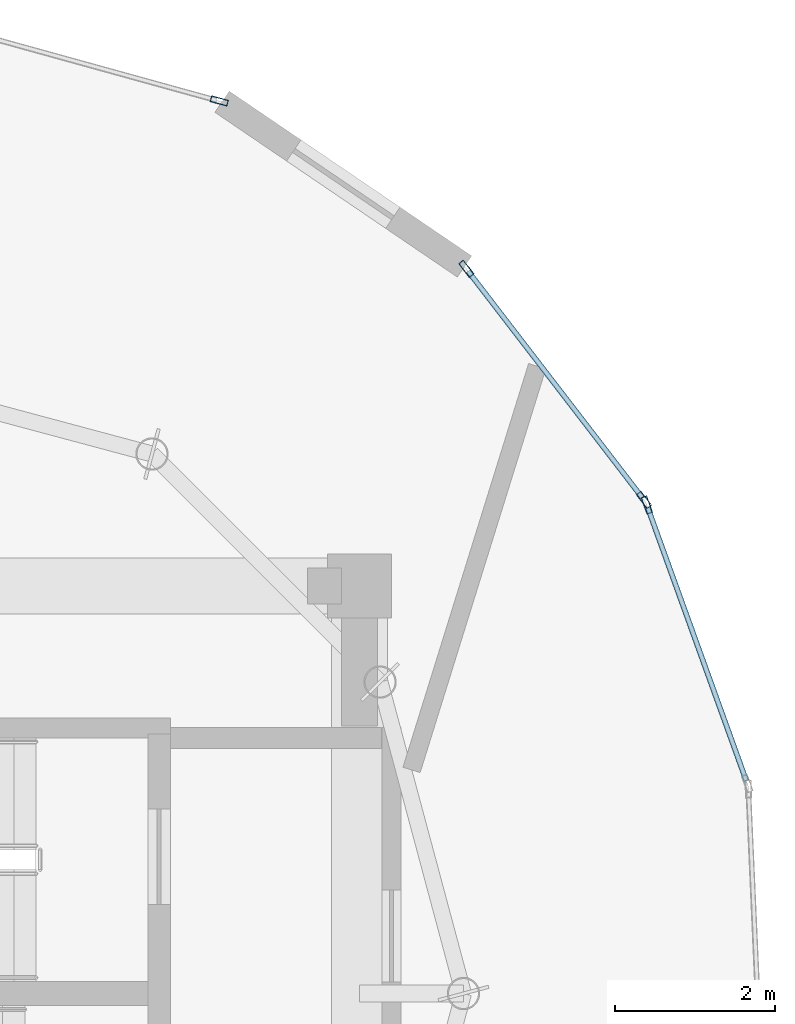
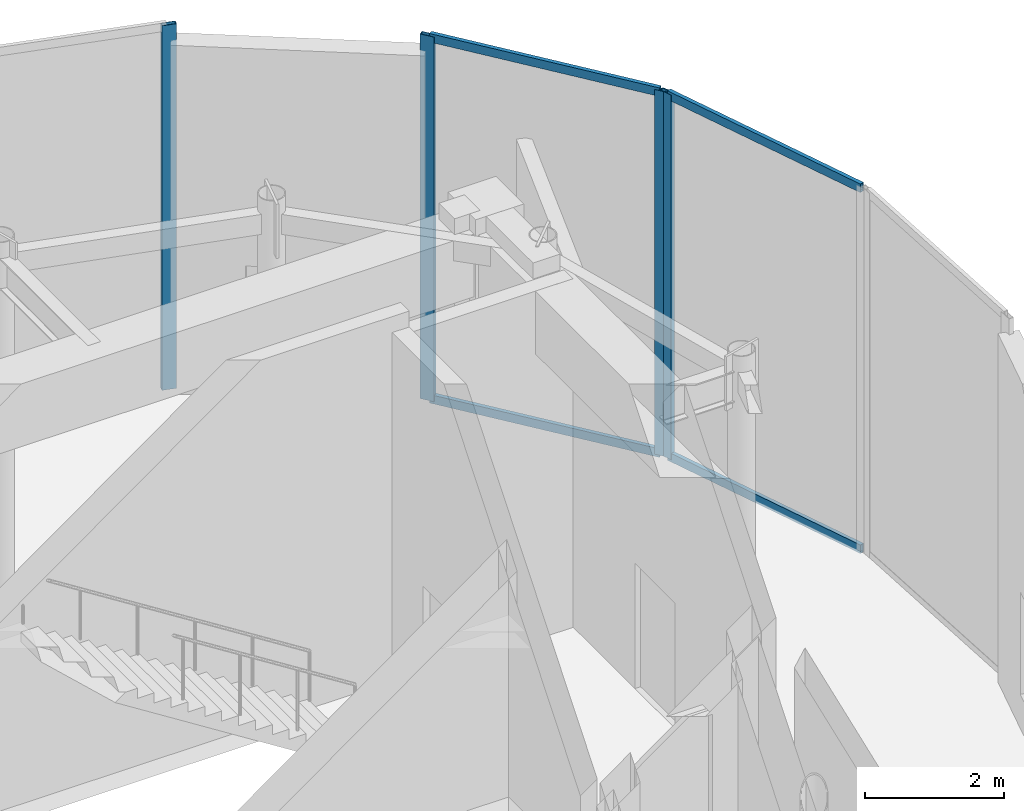
# One storey, part 6 of 9: 8 members, 3 elements without a shape of their own.
"""IFC4 building model written with IfcOpenShell, lengths in metres."""

from ifc_helpers import new_model, si_unit, direction, frame, origin, origin_2d, place, context, subcontext, project, spatial, hollow_rectangle, extrude, source, transform, mapped, material, layer, layer_set, material_profile, profile_set, type_object, element, aggregate, save


model = new_model("IFC4")

# Units and contexts
model_context = context("Model", 3, precision=1e-05, world=origin(), true_north=direction((0.0, 1.0)))
body_context = subcontext(model_context, "Body", "Model", "MODEL_VIEW")
ifc_project = project(units=[si_unit("LENGTHUNIT", "METRE"), si_unit("AREAUNIT", "SQUARE_METRE"), si_unit("VOLUMEUNIT", "CUBIC_METRE"), si_unit("PLANEANGLEUNIT", "RADIAN"), si_unit("MASSUNIT", "GRAM", prefix="KILO")], contexts=[model_context])

# Site, building, storey
site_placement = place(None, origin())
site = spatial("IfcSite", under=ifc_project, at=site_placement, CompositionType="ELEMENT")
building_placement = place(site_placement, origin())
building = spatial("IfcBuilding", under=site, at=building_placement, Name="Solvirekh Grand Hotel", CompositionType="ELEMENT")
storey_placement = place(building_placement, frame((0.0, 0.0, 314.60009765625)))
storey = spatial("IfcBuildingStorey", under=building, at=storey_placement, Name="L80", CompositionType="ELEMENT", Elevation=314.60009765625)

# Curtain wall, member
ifc_material = material(Name="Anodized Bronze Aluminium 6063-T6", Category="aluminium")
ifc_layer = layer(ifc_material, 0.219970703125)
ifc_layer_set = layer_set([ifc_layer], Name="Anodized Bronze Aluminium 6063-T6")
curtain_wall_type = type_object("IfcCurtainWallType", Name="CW_Sys6_CrownFacetedPointCW", PredefinedType="NOTDEFINED", material=ifc_layer_set)
curtain_wall_1_placement = place(storey_placement, origin())
curtain_wall_1 = element("IfcCurtainWall", 1, at=curtain_wall_1_placement, inside=storey, type_object=curtain_wall_type, Name="L80 unitised bronze-glass curtain wall CW-L80-C07", PredefinedType="NOTDEFINED")
ifc_material_profile_1 = material_profile(ifc_material, hollow_rectangle(XDim=0.074951171875, YDim=0.219970703125, WallThickness=0.006103515625, at=origin_2d()), Name="ALU RHS 220X75X6")
ifc_profile_set_1 = profile_set([ifc_material_profile_1], Name="Anodized Bronze Aluminium 6063-T6")
member_type_1 = type_object("IfcMemberType", Name="CWMullion_Sys6", PredefinedType="MULLION", material=ifc_profile_set_1)
shared_shape_1 = source(origin(), body_context, "Body", "SweptSolid", [
    extrude(hollow_rectangle(XDim=0.074951171875, YDim=0.219970703125, WallThickness=0.006103515625, at=origin_2d()), origin(), (0.0, 0.0, 1.0), 6.39990234375),
])
member_1_placement = place(storey_placement, frame((10.095703125, 6.11572265625, 0.0), z_axis=(0.0, 0.0, 1.0), x_axis=(-0.940617276531, -0.339468907399, 0.0)))
member_1 = element("IfcMember", 2, at=member_1_placement, type_object=member_type_1, Name="U06 mullion 2", PredefinedType="MULLION", context=body_context, shape_type="MappedRepresentation", body=[
    mapped(shared_shape_1, transform((0.0, 0.0, 0.0), x_axis=(1.0, 0.0, 0.0), y_axis=(0.0, 1.0, 0.0), z_axis=(0.0, 0.0, 1.0), scale=1.0)),
])

# Curtain wall, members
curtain_wall_2_placement = place(storey_placement, origin())
curtain_wall_2 = element("IfcCurtainWall", 3, at=curtain_wall_2_placement, inside=storey, type_object=curtain_wall_type, Name="L80 unitised bronze-glass curtain wall CW-L80-C08", PredefinedType="NOTDEFINED")
member_2_placement = place(storey_placement, frame((10.06005859375, 6.1806640625, 0.0), z_axis=(0.0, 0.0, 1.0), x_axis=(-0.792723806687, -0.609580976008, 0.0)))
member_2 = element("IfcMember", 4, at=member_2_placement, type_object=member_type_1, Name="U06 mullion 1", PredefinedType="MULLION", context=body_context, shape_type="MappedRepresentation", body=[
    mapped(shared_shape_1, transform((0.0, 0.0, 0.0), x_axis=(1.0, 0.0, 0.0), y_axis=(0.0, 1.0, 0.0), z_axis=(0.0, 0.0, 1.0), scale=1.0)),
])
member_3_placement = place(storey_placement, frame((7.8359375, 9.0732421875, 0.0), z_axis=(0.0, 0.0, 1.0), x_axis=(-0.792723806687, -0.609580976008, 0.0)))
member_3 = element("IfcMember", 5, at=member_3_placement, type_object=member_type_1, Name="U06 mullion 2", PredefinedType="MULLION", context=body_context, shape_type="MappedRepresentation", body=[
    mapped(shared_shape_1, transform((0.0, 0.0, 0.0), x_axis=(1.0, 0.0, 0.0), y_axis=(0.0, 1.0, 0.0), z_axis=(0.0, 0.0, 1.0), scale=1.0)),
])

# Curtain wall, member
curtain_wall_3_placement = place(storey_placement, origin())
curtain_wall_3 = element("IfcCurtainWall", 6, at=curtain_wall_3_placement, inside=storey, type_object=curtain_wall_type, Name="L80 unitised bronze-glass curtain wall CW-L80-C10", PredefinedType="NOTDEFINED")
member_4_placement = place(storey_placement, frame((4.741943359375, 11.175048828125, 0.0), z_axis=(0.0, 0.0, 1.0), x_axis=(-0.266352197766, -0.963875773503, 0.0)))
member_4 = element("IfcMember", 7, at=member_4_placement, type_object=member_type_1, Name="U06 mullion 1", PredefinedType="MULLION", context=body_context, shape_type="MappedRepresentation", body=[
    mapped(shared_shape_1, transform((0.0, 0.0, 0.0), x_axis=(1.0, 0.0, 0.0), y_axis=(0.0, 1.0, 0.0), z_axis=(0.0, 0.0, 1.0), scale=1.0)),
])
aggregate(curtain_wall_3, [member_4])

# Member
ifc_material_profile_2 = material_profile(ifc_material, hollow_rectangle(XDim=0.06494140625, YDim=0.14990234375, WallThickness=0.0048828125, at=origin_2d()), Name="ALU RHS 150X65X5")
ifc_profile_set_2 = profile_set([ifc_material_profile_2], Name="Anodized Bronze Aluminium 6063-T6")
member_type_2 = type_object("IfcMemberType", Name="CWTransom_Sys6", PredefinedType="USERDEFINED", material=ifc_profile_set_2)
shared_shape_2 = source(origin(), body_context, "Body", "SweptSolid", [
    extrude(hollow_rectangle(XDim=0.06494140625, YDim=0.14990234375, WallThickness=0.0048828125, at=origin_2d()), origin(), (0.0, 0.0, 1.0), 3.629638671875),
])
member_5_placement = place(storey_placement, frame((11.340576171875, 2.66650390625, 0.032470703125), z_axis=(-0.339479169248, 0.940613572966, 0.0), x_axis=(-0.940613572966, -0.339479169248, 0.0)))
member_5 = element("IfcMember", 8, at=member_5_placement, type_object=member_type_2, Name="U06 transom 1.1", ObjectType="TRANSOM", PredefinedType="USERDEFINED", context=body_context, shape_type="MappedRepresentation", body=[
    mapped(shared_shape_2, transform((0.0, 0.0, 0.0), x_axis=(1.0, 0.0, 0.0), y_axis=(0.0, 1.0, 0.0), z_axis=(0.0, 0.0, 1.0), scale=1.0)),
])

member_6_placement = place(storey_placement, frame((11.340576171875, 2.66650390625, 6.367431640625), z_axis=(-0.339479169248, 0.940613572966, 0.0), x_axis=(-0.940613572966, -0.339479169248, 0.0)))
member_6 = element("IfcMember", 9, at=member_6_placement, type_object=member_type_2, Name="U06 transom 1.2", ObjectType="TRANSOM", PredefinedType="USERDEFINED", context=body_context, shape_type="MappedRepresentation", body=[
    mapped(shared_shape_2, transform((0.0, 0.0, 0.0), x_axis=(1.0, 0.0, 0.0), y_axis=(0.0, 1.0, 0.0), z_axis=(0.0, 0.0, 1.0), scale=1.0)),
])

aggregate(curtain_wall_1, [member_1, member_5, member_6])

shared_shape_3 = source(origin(), body_context, "Body", "SweptSolid", [
    extrude(hollow_rectangle(XDim=0.06494140625, YDim=0.14990234375, WallThickness=0.0048828125, at=origin_2d()), origin(), (0.0, 0.0, 1.0), 3.573974609375),
])
member_7_placement = place(storey_placement, frame((10.037353515625, 6.21044921875, 0.032470703125), z_axis=(-0.60961831934, 0.792695089379, 0.0), x_axis=(-0.792695089379, -0.60961831934, 0.0)))
member_7 = element("IfcMember", 10, at=member_7_placement, type_object=member_type_2, Name="U06 transom 1.1", ObjectType="TRANSOM", PredefinedType="USERDEFINED", context=body_context, shape_type="MappedRepresentation", body=[
    mapped(shared_shape_3, transform((0.0, 0.0, 0.0), x_axis=(1.0, 0.0, 0.0), y_axis=(0.0, 1.0, 0.0), z_axis=(0.0, 0.0, 1.0), scale=1.0)),
])

member_8_placement = place(storey_placement, frame((10.037353515625, 6.21044921875, 6.367431640625), z_axis=(-0.60961831934, 0.792695089379, 0.0), x_axis=(-0.792695089379, -0.60961831934, 0.0)))
member_8 = element("IfcMember", 11, at=member_8_placement, type_object=member_type_2, Name="U06 transom 1.2", ObjectType="TRANSOM", PredefinedType="USERDEFINED", context=body_context, shape_type="MappedRepresentation", body=[
    mapped(shared_shape_3, transform((0.0, 0.0, 0.0), x_axis=(1.0, 0.0, 0.0), y_axis=(0.0, 1.0, 0.0), z_axis=(0.0, 0.0, 1.0), scale=1.0)),
])

aggregate(curtain_wall_2, [member_2, member_3, member_7, member_8])

save(model, "model.ifc")
